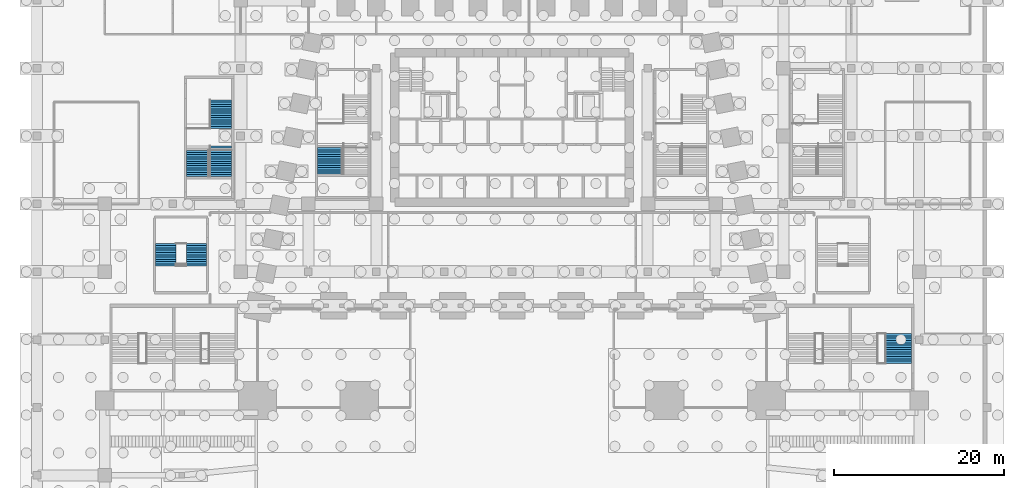
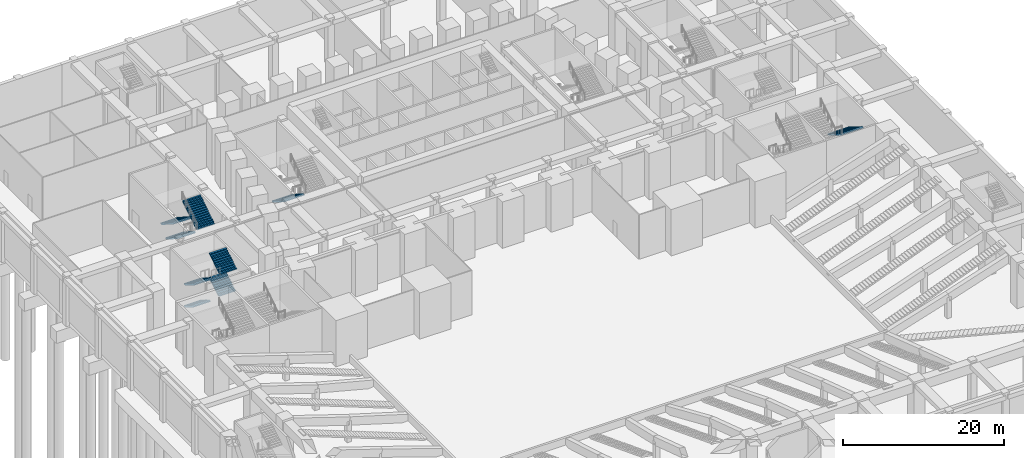
# One storey, part 18 of 30: 9 stair flights, 4 elements without a shape of their own.
"""IFC4 building model written with IfcOpenShell, lengths in metres."""

import ifcopenshell
import ifcopenshell.guid

model = None  # the IFC model being written
_history = None  # IfcOwnerHistory: only IFC2X3 demands one
_inside = {}  # id of a spatial element -> (the spatial element, [elements in it])
_under = {}  # id of a project, library or spatial element -> (it, [spatial elements below it])
_declared = {}  # id of a project -> (the project, [libraries it declares])
_typed = {}  # id of a type object -> (the type object, [elements of that type])
_made_of = {}  # id of a material, layer set ... -> (it, [elements and type objects made of it])


def new_model(schema):
    """Start an empty IFC model of exactly this schema.

    Asked for "IFC4X3", IfcOpenShell would pick the latest addendum, in which some entities
    have other attributes; the version numbers below select the first issue.
    IFC2X3 requires an IfcOwnerHistory on every rooted entity: one is made here for all.
    """
    global model, _history
    if schema == "IFC4X3":
        model = ifcopenshell.file(schema_version=(4, 3, 0, 0))
    else:
        model = ifcopenshell.file(schema=schema)
    _inside.clear()
    _under.clear()
    _declared.clear()
    _typed.clear()
    _made_of.clear()
    _history = None
    if model.schema == "IFC2X3":
        org = make("IfcOrganization", Name="unknown")
        user = make(
            "IfcPersonAndOrganization",
            ThePerson=make("IfcPerson", FamilyName="unknown"),
            TheOrganization=org,
        )
        app = make(
            "IfcApplication",
            ApplicationDeveloper=org,
            Version="unknown",
            ApplicationFullName="unknown",
            ApplicationIdentifier="unknown",
        )
        _history = make(
            "IfcOwnerHistory",
            OwningUser=user,
            OwningApplication=app,
            ChangeAction="ADDED",
            CreationDate=0,
        )
    return model


def make(cls, **values):
    """One entity of the class cls with the attributes given. An attribute that is None is left unset."""
    return model.create_entity(
        cls, **{name: value for name, value in values.items() if value is not None}
    )


def rooted(cls, **values):
    """An entity with a GlobalId (a new one), such as an element, a storey or a relation."""
    return make(cls, GlobalId=ifcopenshell.guid.new(), OwnerHistory=_history, **values)


def si_unit(unit_type, name, prefix=None):
    """IfcSIUnit, for example si_unit("LENGTHUNIT", "METRE", prefix="MILLI")."""
    return make("IfcSIUnit", UnitType=unit_type, Prefix=prefix, Name=name)


def assignment(units):
    """IfcUnitAssignment: the units of a project."""
    return None if units is None else make("IfcUnitAssignment", Units=units)


def point(xyz):
    """IfcCartesianPoint."""
    return None if xyz is None else make("IfcCartesianPoint", Coordinates=xyz)


def direction(xyz):
    """IfcDirection."""
    return None if xyz is None else make("IfcDirection", DirectionRatios=xyz)


def frame(location, z_axis=None, x_axis=None):
    """IfcAxis2Placement3D, a coordinate frame: its origin and axes. An axis left out is left unset."""
    return make(
        "IfcAxis2Placement3D",
        Location=point(location),
        Axis=direction(z_axis),
        RefDirection=direction(x_axis),
    )


def origin():
    """The frame at (0, 0, 0) with its axes left unset."""
    return frame((0.0, 0.0, 0.0))


def place(relative_to, where):
    """IfcLocalPlacement: puts the frame where relative to a parent placement (None: the world)."""
    return make(
        "IfcLocalPlacement", PlacementRelTo=relative_to, RelativePlacement=where
    )


def context(
    kind, dimensions, precision=None, world=None, true_north=None, identifier=None
):
    """IfcGeometricRepresentationContext, for example the 3D "Model" context."""
    return make(
        "IfcGeometricRepresentationContext",
        ContextIdentifier=identifier,
        ContextType=kind,
        CoordinateSpaceDimension=dimensions,
        Precision=precision,
        WorldCoordinateSystem=world,
        TrueNorth=true_north,
    )


def subcontext(parent, identifier, kind, view, scale=None):
    """IfcGeometricRepresentationSubContext, for example "Body" below "Model"."""
    return make(
        "IfcGeometricRepresentationSubContext",
        ContextIdentifier=identifier,
        ContextType=kind,
        ParentContext=parent,
        TargetScale=scale,
        TargetView=view,
    )


def project(units=None, contexts=None):
    """IfcProject with its units and contexts."""
    return rooted(
        "IfcProject",
        Name="project",
        RepresentationContexts=contexts,
        UnitsInContext=assignment(units),
    )


def spatial(cls, under=None, at=None, **own):
    """A site, building, storey or space (cls), placed at a placement, below another one or the project."""
    s = rooted(cls, ObjectPlacement=at, **own)
    if under is not None:
        _under.setdefault(under.id(), (under, []))[1].append(s)
    return s


def polyline(points):
    """IfcPolyline through the points."""
    return make("IfcPolyline", Points=[point(p) for p in points])


def outline(outer, holes=None, kind="AREA"):
    """IfcArbitraryClosedProfileDef: a profile drawn as a closed curve; with holes, ...WithVoids."""
    if holes is None:
        return make("IfcArbitraryClosedProfileDef", ProfileType=kind, OuterCurve=outer)
    return make(
        "IfcArbitraryProfileDefWithVoids",
        ProfileType=kind,
        OuterCurve=outer,
        InnerCurves=holes,
    )


def extrude(swept, where, along, depth):
    """IfcExtrudedAreaSolid: the profile swept, set in the frame where, extruded along a direction by depth."""
    return make(
        "IfcExtrudedAreaSolid",
        SweptArea=swept,
        Position=where,
        ExtrudedDirection=direction(along),
        Depth=depth,
    )


def shape(context_of_items, identifier, shape_type, items):
    """IfcShapeRepresentation: the items that make up one representation, for example the "Body"."""
    return make(
        "IfcShapeRepresentation",
        ContextOfItems=context_of_items,
        RepresentationIdentifier=identifier,
        RepresentationType=shape_type,
        Items=items,
    )


def material(Name=None, Category=None):
    """IfcMaterial."""
    return make("IfcMaterial", Name=Name, Category=Category)


def made_of(thing, what):
    """Note that an element or type object is made of a material, layer set ...; save() writes the relation."""
    if what is not None:
        _made_of.setdefault(what.id(), (what, []))[1].append(thing)
    return thing


def type_object(cls, material=None, **own):
    """A type object (cls), such as IfcWallType, which elements share."""
    return made_of(rooted(cls, **own), material)


def element(
    cls,
    number,
    at=None,
    inside=None,
    cuts=None,
    type_object=None,
    material=None,
    context=None,
    identifier="Body",
    shape_type=None,
    held_by="IfcProductDefinitionShape",
    body=None,
    shapes=None,
    **own,
):
    """One element of the class cls, such as IfcWall. Its Tag is "e" and its number.

    at: its placement. inside: the storey or other place that contains it. cuts: it is an
    opening in that element (IfcRelVoidsElement). A single representation is given by context,
    identifier, shape_type and body (its items); several are given by shapes. held_by: the class
    of the entity that holds the representations. save() writes the other relations.
    """
    e = rooted(cls, Tag="e%d" % number, ObjectPlacement=at, **own)
    if body is not None:
        shapes = [shape(context, identifier, shape_type, body)]
    if shapes is not None:
        e.Representation = make(held_by, Representations=shapes)
    if inside is not None:
        _inside.setdefault(inside.id(), (inside, []))[1].append(e)
    if cuts is not None:
        rooted(
            "IfcRelVoidsElement", RelatingBuildingElement=cuts, RelatedOpeningElement=e
        )
    if type_object is not None:
        _typed.setdefault(type_object.id(), (type_object, []))[1].append(e)
    return made_of(e, material)


def aggregate(whole, parts):
    """IfcRelAggregates: a whole, such as a stair, and the parts it consists of."""
    return rooted("IfcRelAggregates", RelatingObject=whole, RelatedObjects=parts)


def save(model, path):
    """Write the relations noted so far, then the file.

    IfcRelAggregates (storeys below a building ...), IfcRelContainedInSpatialStructure (elements
    in a storey), IfcRelDefinesByType, IfcRelAssociatesMaterial and IfcRelDeclares: one each for
    every whole, place, type object, material and project.
    """
    for whole, parts in _under.values():
        aggregate(whole, parts)
    for where, things in _inside.values():
        rooted(
            "IfcRelContainedInSpatialStructure",
            RelatedElements=things,
            RelatingStructure=where,
        )
    for kind, things in _typed.values():
        rooted("IfcRelDefinesByType", RelatedObjects=things, RelatingType=kind)
    for what, things in _made_of.values():
        rooted("IfcRelAssociatesMaterial", RelatedObjects=things, RelatingMaterial=what)
    for by, libraries in _declared.values():
        rooted("IfcRelDeclares", RelatingContext=by, RelatedDefinitions=libraries)
    model.write(path)


model = new_model("IFC4")

# Units and contexts
model_context = context("Model", 3, precision=1e-05, world=origin(), true_north=direction((0.0, 1.0)))
body_context = subcontext(model_context, "Body", "Model", "MODEL_VIEW")
ifc_project = project(units=[si_unit("LENGTHUNIT", "METRE"), si_unit("AREAUNIT", "SQUARE_METRE"), si_unit("VOLUMEUNIT", "CUBIC_METRE"), si_unit("PLANEANGLEUNIT", "RADIAN"), si_unit("MASSUNIT", "GRAM", prefix="KILO")], contexts=[model_context])

# Site, building, storey
site_placement = place(None, origin())
site = spatial("IfcSite", under=ifc_project, at=site_placement, CompositionType="ELEMENT")
building_placement = place(site_placement, origin())
building = spatial("IfcBuilding", under=site, at=building_placement, Name="Isbrekke Arena Tower", CompositionType="ELEMENT")
storey_placement = place(building_placement, frame((0.0, 0.0, -7.0)))
storey = spatial("IfcBuildingStorey", under=building, at=storey_placement, Name="B1", CompositionType="ELEMENT", Elevation=-7.0)

# Stair, stair flights
ifc_material_1 = material(Name="Concrete B45 (C45/55) precast", Category="concrete")
stair_type_1 = type_object("IfcStairType", Name="ST70 STAIR 2400 WIDE, 42 RISERS 167", PredefinedType="HALF_TURN_STAIR", material=ifc_material_1)
stair_1_placement = place(storey_placement, origin())
stair_1 = element("IfcStair", 1, at=stair_1_placement, inside=storey, type_object=stair_type_1, Name="V2 stair B1", PredefinedType="HALF_TURN_STAIR")
ifc_material_2 = material(Name="Concrete B45 (C45/55) precast", Category="concrete")
stair_flight_type_1 = type_object("IfcStairFlightType", Name="SF 2400 FLIGHT", PredefinedType="STRAIGHT", material=ifc_material_2)
stair_flight_1_placement = place(storey_placement, frame((-40.800048828125, 1.35009765625, 0.0), z_axis=(0.0, 0.0, 1.0), x_axis=(0.0, -1.0, 0.0)))
stair_flight_1 = element("IfcStairFlight", 2, at=stair_flight_1_placement, type_object=stair_flight_type_1, Name="V2 flight 1", NumberOfRisers=10, NumberOfTreads=9, PredefinedType="STRAIGHT", RiserHeight=0.166666667, TreadLength=0.27, context=body_context, shape_type="SweptSolid", body=[
    extrude(outline(polyline([(0.0, 0.0), (0.0, 0.166748046875), (0.27001953125, 0.166748046875), (0.27001953125, 0.333251953125), (0.5400390625, 0.333251953125), (0.5400390625, 0.5), (0.81005859375, 0.5), (0.81005859375, 0.666748046875), (1.080078125, 0.666748046875), (1.080078125, 0.833251953125), (1.35009765625, 0.833251953125), (1.35009765625, 1.0), (1.6201171875, 1.0), (1.6201171875, 1.166748046875), (1.889892578125, 1.166748046875), (1.889892578125, 1.333251953125), (2.159912109375, 1.333251953125), (2.159912109375, 1.5), (2.429931640625, 1.5), (2.429931640625, 1.666748046875), (2.429931640625, 1.32373046875), (0.285400390625, 0.0), (0.0, 0.0)])), frame((0.0, 1.199951171875, 0.0), z_axis=(0.0, -1.0, 0.0), x_axis=(1.0, 0.0, 0.0)), (0.0, 0.0, 1.0), 0.48095703125),
    extrude(outline(polyline([(0.0, 0.0), (0.0, 0.166748046875), (0.27001953125, 0.166748046875), (0.27001953125, 0.333251953125), (0.5400390625, 0.333251953125), (0.5400390625, 0.5), (0.81005859375, 0.5), (0.81005859375, 0.666748046875), (1.080078125, 0.666748046875), (1.080078125, 0.833251953125), (1.35009765625, 0.833251953125), (1.35009765625, 1.0), (1.6201171875, 1.0), (1.6201171875, 1.166748046875), (1.889892578125, 1.166748046875), (1.889892578125, 1.333251953125), (2.159912109375, 1.333251953125), (2.159912109375, 1.5), (2.429931640625, 1.5), (2.429931640625, 1.666748046875), (2.429931640625, 1.32373046875), (0.285400390625, 0.0), (0.0, 0.0)])), frame((0.0, 0.720947265625, 0.0), z_axis=(0.0, -1.0, 0.0), x_axis=(1.0, 0.0, 0.0)), (0.0, 0.0, 1.0), 0.48193359375),
    extrude(outline(polyline([(0.0, 0.0), (0.0, 0.166748046875), (0.27001953125, 0.166748046875), (0.27001953125, 0.333251953125), (0.5400390625, 0.333251953125), (0.5400390625, 0.5), (0.81005859375, 0.5), (0.81005859375, 0.666748046875), (1.080078125, 0.666748046875), (1.080078125, 0.833251953125), (1.35009765625, 0.833251953125), (1.35009765625, 1.0), (1.6201171875, 1.0), (1.6201171875, 1.166748046875), (1.889892578125, 1.166748046875), (1.889892578125, 1.333251953125), (2.159912109375, 1.333251953125), (2.159912109375, 1.5), (2.429931640625, 1.5), (2.429931640625, 1.666748046875), (2.429931640625, 1.32373046875), (0.285400390625, 0.0), (0.0, 0.0)])), frame((0.0, 0.240966796875, 0.0), z_axis=(0.0, -1.0, 0.0), x_axis=(1.0, 0.0, 0.0)), (0.0, 0.0, 1.0), 0.48193359375),
    extrude(outline(polyline([(0.0, 0.0), (0.0, 0.166748046875), (0.27001953125, 0.166748046875), (0.27001953125, 0.333251953125), (0.5400390625, 0.333251953125), (0.5400390625, 0.5), (0.81005859375, 0.5), (0.81005859375, 0.666748046875), (1.080078125, 0.666748046875), (1.080078125, 0.833251953125), (1.35009765625, 0.833251953125), (1.35009765625, 1.0), (1.6201171875, 1.0), (1.6201171875, 1.166748046875), (1.889892578125, 1.166748046875), (1.889892578125, 1.333251953125), (2.159912109375, 1.333251953125), (2.159912109375, 1.5), (2.429931640625, 1.5), (2.429931640625, 1.666748046875), (2.429931640625, 1.32373046875), (0.285400390625, 0.0), (0.0, 0.0)])), frame((0.0, -0.239013671875, 0.0), z_axis=(0.0, -1.0, 0.0), x_axis=(1.0, 0.0, 0.0)), (0.0, 0.0, 1.0), 0.48193359375),
    extrude(outline(polyline([(0.0, 0.0), (0.0, 0.166748046875), (0.27001953125, 0.166748046875), (0.27001953125, 0.333251953125), (0.5400390625, 0.333251953125), (0.5400390625, 0.5), (0.81005859375, 0.5), (0.81005859375, 0.666748046875), (1.080078125, 0.666748046875), (1.080078125, 0.833251953125), (1.35009765625, 0.833251953125), (1.35009765625, 1.0), (1.6201171875, 1.0), (1.6201171875, 1.166748046875), (1.889892578125, 1.166748046875), (1.889892578125, 1.333251953125), (2.159912109375, 1.333251953125), (2.159912109375, 1.5), (2.429931640625, 1.5), (2.429931640625, 1.666748046875), (2.429931640625, 1.32373046875), (0.285400390625, 0.0), (0.0, 0.0)])), frame((0.0, -0.718994140625, 0.0), z_axis=(0.0, -1.0, 0.0), x_axis=(1.0, 0.0, 0.0)), (0.0, 0.0, 1.0), 0.48095703125),
])
stair_flight_2_placement = place(storey_placement, frame((-37.199951171875, -1.080078125, 1.666748046875), z_axis=(0.0, 0.0, 1.0), x_axis=(0.0, 1.0, 0.0)))
stair_flight_2 = element("IfcStairFlight", 3, at=stair_flight_2_placement, type_object=stair_flight_type_1, Name="V2 flight 2", NumberOfRisers=10, NumberOfTreads=9, PredefinedType="STRAIGHT", RiserHeight=0.166666667, TreadLength=0.27, context=body_context, shape_type="SweptSolid", body=[
    extrude(outline(polyline([(0.0, 0.0), (0.0, 0.166748046875), (0.27001953125, 0.166748046875), (0.27001953125, 0.333251953125), (0.5400390625, 0.333251953125), (0.5400390625, 0.5), (0.81005859375, 0.5), (0.81005859375, 0.666748046875), (1.080078125, 0.666748046875), (1.080078125, 0.833251953125), (1.35009765625, 0.833251953125), (1.35009765625, 1.0), (1.6201171875, 1.0), (1.6201171875, 1.166748046875), (1.889892578125, 1.166748046875), (1.889892578125, 1.333251953125), (2.159912109375, 1.333251953125), (2.159912109375, 1.5), (2.429931640625, 1.5), (2.429931640625, 1.666748046875), (2.429931640625, 1.32373046875), (0.285400390625, 0.0), (0.0, 0.0)])), frame((0.0, 1.199951171875, 0.0), z_axis=(0.0, -1.0, 0.0), x_axis=(1.0, 0.0, 0.0)), (0.0, 0.0, 1.0), 0.48095703125),
    extrude(outline(polyline([(0.0, 0.0), (0.0, 0.166748046875), (0.27001953125, 0.166748046875), (0.27001953125, 0.333251953125), (0.5400390625, 0.333251953125), (0.5400390625, 0.5), (0.81005859375, 0.5), (0.81005859375, 0.666748046875), (1.080078125, 0.666748046875), (1.080078125, 0.833251953125), (1.35009765625, 0.833251953125), (1.35009765625, 1.0), (1.6201171875, 1.0), (1.6201171875, 1.166748046875), (1.889892578125, 1.166748046875), (1.889892578125, 1.333251953125), (2.159912109375, 1.333251953125), (2.159912109375, 1.5), (2.429931640625, 1.5), (2.429931640625, 1.666748046875), (2.429931640625, 1.32373046875), (0.285400390625, 0.0), (0.0, 0.0)])), frame((0.0, 0.720947265625, 0.0), z_axis=(0.0, -1.0, 0.0), x_axis=(1.0, 0.0, 0.0)), (0.0, 0.0, 1.0), 0.48193359375),
    extrude(outline(polyline([(0.0, 0.0), (0.0, 0.166748046875), (0.27001953125, 0.166748046875), (0.27001953125, 0.333251953125), (0.5400390625, 0.333251953125), (0.5400390625, 0.5), (0.81005859375, 0.5), (0.81005859375, 0.666748046875), (1.080078125, 0.666748046875), (1.080078125, 0.833251953125), (1.35009765625, 0.833251953125), (1.35009765625, 1.0), (1.6201171875, 1.0), (1.6201171875, 1.166748046875), (1.889892578125, 1.166748046875), (1.889892578125, 1.333251953125), (2.159912109375, 1.333251953125), (2.159912109375, 1.5), (2.429931640625, 1.5), (2.429931640625, 1.666748046875), (2.429931640625, 1.32373046875), (0.285400390625, 0.0), (0.0, 0.0)])), frame((0.0, 0.240966796875, 0.0), z_axis=(0.0, -1.0, 0.0), x_axis=(1.0, 0.0, 0.0)), (0.0, 0.0, 1.0), 0.48193359375),
    extrude(outline(polyline([(0.0, 0.0), (0.0, 0.166748046875), (0.27001953125, 0.166748046875), (0.27001953125, 0.333251953125), (0.5400390625, 0.333251953125), (0.5400390625, 0.5), (0.81005859375, 0.5), (0.81005859375, 0.666748046875), (1.080078125, 0.666748046875), (1.080078125, 0.833251953125), (1.35009765625, 0.833251953125), (1.35009765625, 1.0), (1.6201171875, 1.0), (1.6201171875, 1.166748046875), (1.889892578125, 1.166748046875), (1.889892578125, 1.333251953125), (2.159912109375, 1.333251953125), (2.159912109375, 1.5), (2.429931640625, 1.5), (2.429931640625, 1.666748046875), (2.429931640625, 1.32373046875), (0.285400390625, 0.0), (0.0, 0.0)])), frame((0.0, -0.239013671875, 0.0), z_axis=(0.0, -1.0, 0.0), x_axis=(1.0, 0.0, 0.0)), (0.0, 0.0, 1.0), 0.48193359375),
    extrude(outline(polyline([(0.0, 0.0), (0.0, 0.166748046875), (0.27001953125, 0.166748046875), (0.27001953125, 0.333251953125), (0.5400390625, 0.333251953125), (0.5400390625, 0.5), (0.81005859375, 0.5), (0.81005859375, 0.666748046875), (1.080078125, 0.666748046875), (1.080078125, 0.833251953125), (1.35009765625, 0.833251953125), (1.35009765625, 1.0), (1.6201171875, 1.0), (1.6201171875, 1.166748046875), (1.889892578125, 1.166748046875), (1.889892578125, 1.333251953125), (2.159912109375, 1.333251953125), (2.159912109375, 1.5), (2.429931640625, 1.5), (2.429931640625, 1.666748046875), (2.429931640625, 1.32373046875), (0.285400390625, 0.0), (0.0, 0.0)])), frame((0.0, -0.718994140625, 0.0), z_axis=(0.0, -1.0, 0.0), x_axis=(1.0, 0.0, 0.0)), (0.0, 0.0, 1.0), 0.48095703125),
])
stair_flight_3_placement = place(storey_placement, frame((-40.800048828125, 1.35009765625, 3.333251953125), z_axis=(0.0, 0.0, 1.0), x_axis=(0.0, -1.0, 0.0)))
stair_flight_3 = element("IfcStairFlight", 4, at=stair_flight_3_placement, type_object=stair_flight_type_1, Name="V2 flight 3", NumberOfRisers=11, NumberOfTreads=10, PredefinedType="STRAIGHT", RiserHeight=0.166666667, TreadLength=0.27, context=body_context, shape_type="SweptSolid", body=[
    extrude(outline(polyline([(0.0, 0.0), (0.0, 0.166748046875), (0.27001953125, 0.166748046875), (0.27001953125, 0.333251953125), (0.5400390625, 0.333251953125), (0.5400390625, 0.5), (0.81005859375, 0.5), (0.81005859375, 0.666748046875), (1.080078125, 0.666748046875), (1.080078125, 0.833251953125), (1.35009765625, 0.833251953125), (1.35009765625, 1.0), (1.6201171875, 1.0), (1.6201171875, 1.166748046875), (1.889892578125, 1.166748046875), (1.889892578125, 1.333251953125), (2.159912109375, 1.333251953125), (2.159912109375, 1.5), (2.429931640625, 1.5), (2.429931640625, 1.666748046875), (2.699951171875, 1.666748046875), (2.699951171875, 1.833251953125), (2.699951171875, 1.490478515625), (0.285400390625, 0.0), (0.0, 0.0)])), frame((0.0, 1.199951171875, 0.0), z_axis=(0.0, -1.0, 0.0), x_axis=(1.0, 0.0, 0.0)), (0.0, 0.0, 1.0), 0.801025390625),
    extrude(outline(polyline([(0.0, 0.0), (0.0, 0.166748046875), (0.27001953125, 0.166748046875), (0.27001953125, 0.333251953125), (0.5400390625, 0.333251953125), (0.5400390625, 0.5), (0.81005859375, 0.5), (0.81005859375, 0.666748046875), (1.080078125, 0.666748046875), (1.080078125, 0.833251953125), (1.35009765625, 0.833251953125), (1.35009765625, 1.0), (1.6201171875, 1.0), (1.6201171875, 1.166748046875), (1.889892578125, 1.166748046875), (1.889892578125, 1.333251953125), (2.159912109375, 1.333251953125), (2.159912109375, 1.5), (2.429931640625, 1.5), (2.429931640625, 1.666748046875), (2.699951171875, 1.666748046875), (2.699951171875, 1.833251953125), (2.699951171875, 1.490478515625), (0.285400390625, 0.0), (0.0, 0.0)])), frame((0.0, 0.40087890625, 0.0), z_axis=(0.0, -1.0, 0.0), x_axis=(1.0, 0.0, 0.0)), (0.0, 0.0, 1.0), 0.802001953125),
    extrude(outline(polyline([(0.0, 0.0), (0.0, 0.166748046875), (0.27001953125, 0.166748046875), (0.27001953125, 0.333251953125), (0.5400390625, 0.333251953125), (0.5400390625, 0.5), (0.81005859375, 0.5), (0.81005859375, 0.666748046875), (1.080078125, 0.666748046875), (1.080078125, 0.833251953125), (1.35009765625, 0.833251953125), (1.35009765625, 1.0), (1.6201171875, 1.0), (1.6201171875, 1.166748046875), (1.889892578125, 1.166748046875), (1.889892578125, 1.333251953125), (2.159912109375, 1.333251953125), (2.159912109375, 1.5), (2.429931640625, 1.5), (2.429931640625, 1.666748046875), (2.699951171875, 1.666748046875), (2.699951171875, 1.833251953125), (2.699951171875, 1.490478515625), (0.285400390625, 0.0), (0.0, 0.0)])), frame((0.0, -0.39892578125, 0.0), z_axis=(0.0, -1.0, 0.0), x_axis=(1.0, 0.0, 0.0)), (0.0, 0.0, 1.0), 0.801025390625),
])
stair_flight_4_placement = place(storey_placement, frame((-37.199951171875, -1.35009765625, 5.166748046875), z_axis=(0.0, 0.0, 1.0), x_axis=(0.0, 1.0, 0.0)))
stair_flight_4 = element("IfcStairFlight", 5, at=stair_flight_4_placement, type_object=stair_flight_type_1, Name="V2 flight 4", NumberOfRisers=11, NumberOfTreads=10, PredefinedType="STRAIGHT", RiserHeight=0.166666667, TreadLength=0.27, context=body_context, shape_type="SweptSolid", body=[
    extrude(outline(polyline([(0.0, 0.0), (0.0, 0.166748046875), (0.27001953125, 0.166748046875), (0.27001953125, 0.333251953125), (0.5400390625, 0.333251953125), (0.5400390625, 0.5), (0.81005859375, 0.5), (0.81005859375, 0.666748046875), (1.080078125, 0.666748046875), (1.080078125, 0.833251953125), (1.35009765625, 0.833251953125), (1.35009765625, 1.0), (1.6201171875, 1.0), (1.6201171875, 1.166748046875), (1.889892578125, 1.166748046875), (1.889892578125, 1.333251953125), (2.159912109375, 1.333251953125), (2.159912109375, 1.5), (2.429931640625, 1.5), (2.429931640625, 1.666748046875), (2.699951171875, 1.666748046875), (2.699951171875, 1.833251953125), (2.699951171875, 1.490478515625), (0.285400390625, 0.0), (0.0, 0.0)])), frame((0.0, 1.199951171875, 0.0), z_axis=(0.0, -1.0, 0.0), x_axis=(1.0, 0.0, 0.0)), (0.0, 0.0, 1.0), 0.801025390625),
    extrude(outline(polyline([(0.0, 0.0), (0.0, 0.166748046875), (0.27001953125, 0.166748046875), (0.27001953125, 0.333251953125), (0.5400390625, 0.333251953125), (0.5400390625, 0.5), (0.81005859375, 0.5), (0.81005859375, 0.666748046875), (1.080078125, 0.666748046875), (1.080078125, 0.833251953125), (1.35009765625, 0.833251953125), (1.35009765625, 1.0), (1.6201171875, 1.0), (1.6201171875, 1.166748046875), (1.889892578125, 1.166748046875), (1.889892578125, 1.333251953125), (2.159912109375, 1.333251953125), (2.159912109375, 1.5), (2.429931640625, 1.5), (2.429931640625, 1.666748046875), (2.699951171875, 1.666748046875), (2.699951171875, 1.833251953125), (2.699951171875, 1.490478515625), (0.285400390625, 0.0), (0.0, 0.0)])), frame((0.0, 0.40087890625, 0.0), z_axis=(0.0, -1.0, 0.0), x_axis=(1.0, 0.0, 0.0)), (0.0, 0.0, 1.0), 0.802001953125),
    extrude(outline(polyline([(0.0, 0.0), (0.0, 0.166748046875), (0.27001953125, 0.166748046875), (0.27001953125, 0.333251953125), (0.5400390625, 0.333251953125), (0.5400390625, 0.5), (0.81005859375, 0.5), (0.81005859375, 0.666748046875), (1.080078125, 0.666748046875), (1.080078125, 0.833251953125), (1.35009765625, 0.833251953125), (1.35009765625, 1.0), (1.6201171875, 1.0), (1.6201171875, 1.166748046875), (1.889892578125, 1.166748046875), (1.889892578125, 1.333251953125), (2.159912109375, 1.333251953125), (2.159912109375, 1.5), (2.429931640625, 1.5), (2.429931640625, 1.666748046875), (2.699951171875, 1.666748046875), (2.699951171875, 1.833251953125), (2.699951171875, 1.490478515625), (0.285400390625, 0.0), (0.0, 0.0)])), frame((0.0, -0.39892578125, 0.0), z_axis=(0.0, -1.0, 0.0), x_axis=(1.0, 0.0, 0.0)), (0.0, 0.0, 1.0), 0.801025390625),
])
aggregate(stair_1, [stair_flight_1, stair_flight_2, stair_flight_3, stair_flight_4])

ifc_material_3 = material(Name="Concrete B45 (C45/55) precast", Category="concrete")
stair_type_2 = type_object("IfcStairType", Name="SX70 EXIT STAIR 2550 WIDE, 42 RISERS 167", PredefinedType="HALF_TURN_STAIR", material=ifc_material_3)
stair_2_placement = place(storey_placement, origin())
stair_2 = element("IfcStair", 6, at=stair_2_placement, inside=storey, type_object=stair_type_2, Name="X8 exit stair B1", PredefinedType="HALF_TURN_STAIR")
ifc_material_4 = material(Name="Concrete B45 (C45/55) precast", Category="concrete")
stair_flight_type_2 = type_object("IfcStairFlightType", Name="SF 2550 FLIGHT 260", PredefinedType="STRAIGHT", material=ifc_material_4)
stair_flight_5_placement = place(storey_placement, frame((-34.324951171875, 18.25, 0.0), z_axis=(0.0, 0.0, 1.0), x_axis=(0.0, -1.0, 0.0)))
stair_flight_5 = element("IfcStairFlight", 7, at=stair_flight_5_placement, type_object=stair_flight_type_2, Name="X8 flight 1", NumberOfRisers=14, NumberOfTreads=13, PredefinedType="STRAIGHT", RiserHeight=0.166666667, TreadLength=0.26, context=body_context, shape_type="SweptSolid", body=[
    extrude(outline(polyline([(0.0, 0.0), (0.0, 0.166748046875), (0.260009765625, 0.166748046875), (0.260009765625, 0.333251953125), (0.52001953125, 0.333251953125), (0.52001953125, 0.5), (0.780029296875, 0.5), (0.780029296875, 0.666748046875), (1.0400390625, 0.666748046875), (1.0400390625, 0.833251953125), (1.300048828125, 0.833251953125), (1.300048828125, 1.0), (1.56005859375, 1.0), (1.56005859375, 1.166748046875), (1.820068359375, 1.166748046875), (1.820068359375, 1.333251953125), (2.080078125, 1.333251953125), (2.080078125, 1.5), (2.340087890625, 1.5), (2.340087890625, 1.666748046875), (2.60009765625, 1.666748046875), (2.60009765625, 1.833251953125), (2.860107421875, 1.833251953125), (2.860107421875, 2.0), (3.1201171875, 2.0), (3.1201171875, 2.166748046875), (3.3798828125, 2.166748046875), (3.3798828125, 2.333251953125), (3.3798828125, 1.988525390625), (0.27783203125, 0.0), (0.0, 0.0)])), frame((0.0, 1.27490234375, 0.0), z_axis=(0.0, -1.0, 0.0), x_axis=(1.0, 0.0, 0.0)), (0.0, 0.0, 1.0), 1.27587890625),
    extrude(outline(polyline([(0.0, 0.0), (0.0, 0.166748046875), (0.260009765625, 0.166748046875), (0.260009765625, 0.333251953125), (0.52001953125, 0.333251953125), (0.52001953125, 0.5), (0.780029296875, 0.5), (0.780029296875, 0.666748046875), (1.0400390625, 0.666748046875), (1.0400390625, 0.833251953125), (1.300048828125, 0.833251953125), (1.300048828125, 1.0), (1.56005859375, 1.0), (1.56005859375, 1.166748046875), (1.820068359375, 1.166748046875), (1.820068359375, 1.333251953125), (2.080078125, 1.333251953125), (2.080078125, 1.5), (2.340087890625, 1.5), (2.340087890625, 1.666748046875), (2.60009765625, 1.666748046875), (2.60009765625, 1.833251953125), (2.860107421875, 1.833251953125), (2.860107421875, 2.0), (3.1201171875, 2.0), (3.1201171875, 2.166748046875), (3.3798828125, 2.166748046875), (3.3798828125, 2.333251953125), (3.3798828125, 1.988525390625), (0.27783203125, 0.0), (0.0, 0.0)])), frame((0.0, 0.0009765625, 0.0), z_axis=(0.0, -1.0, 0.0), x_axis=(1.0, 0.0, 0.0)), (0.0, 0.0, 1.0), 1.27587890625),
])
stair_flight_6_placement = place(storey_placement, frame((-37.074951171875, 12.320068359375, 2.333251953125), z_axis=(0.0, 0.0, 1.0), x_axis=(0.0, -1.0, 0.0)))
stair_flight_6 = element("IfcStairFlight", 8, at=stair_flight_6_placement, type_object=stair_flight_type_2, Name="X8 flight 2", NumberOfRisers=13, NumberOfTreads=12, PredefinedType="STRAIGHT", RiserHeight=0.166666667, TreadLength=0.26, context=body_context, shape_type="SweptSolid", body=[
    extrude(outline(polyline([(0.0, 0.0), (0.0, 0.166748046875), (0.260009765625, 0.166748046875), (0.260009765625, 0.333251953125), (0.52001953125, 0.333251953125), (0.52001953125, 0.5), (0.780029296875, 0.5), (0.780029296875, 0.666748046875), (1.0400390625, 0.666748046875), (1.0400390625, 0.833251953125), (1.300048828125, 0.833251953125), (1.300048828125, 1.0), (1.56005859375, 1.0), (1.56005859375, 1.166748046875), (1.820068359375, 1.166748046875), (1.820068359375, 1.333251953125), (2.080078125, 1.333251953125), (2.080078125, 1.5), (2.340087890625, 1.5), (2.340087890625, 1.666748046875), (2.60009765625, 1.666748046875), (2.60009765625, 1.833251953125), (2.860107421875, 1.833251953125), (2.860107421875, 2.0), (3.1201171875, 2.0), (3.1201171875, 2.166748046875), (3.1201171875, 1.822021484375), (0.27783203125, 0.0), (0.0, 0.0)])), frame((0.0, 1.27490234375, 0.0), z_axis=(0.0, -1.0, 0.0), x_axis=(1.0, 0.0, 0.0)), (0.0, 0.0, 1.0), 1.27587890625),
    extrude(outline(polyline([(0.0, 0.0), (0.0, 0.166748046875), (0.260009765625, 0.166748046875), (0.260009765625, 0.333251953125), (0.52001953125, 0.333251953125), (0.52001953125, 0.5), (0.780029296875, 0.5), (0.780029296875, 0.666748046875), (1.0400390625, 0.666748046875), (1.0400390625, 0.833251953125), (1.300048828125, 0.833251953125), (1.300048828125, 1.0), (1.56005859375, 1.0), (1.56005859375, 1.166748046875), (1.820068359375, 1.166748046875), (1.820068359375, 1.333251953125), (2.080078125, 1.333251953125), (2.080078125, 1.5), (2.340087890625, 1.5), (2.340087890625, 1.666748046875), (2.60009765625, 1.666748046875), (2.60009765625, 1.833251953125), (2.860107421875, 1.833251953125), (2.860107421875, 2.0), (3.1201171875, 2.0), (3.1201171875, 2.166748046875), (3.1201171875, 1.822021484375), (0.27783203125, 0.0), (0.0, 0.0)])), frame((0.0, 0.0009765625, 0.0), z_axis=(0.0, -1.0, 0.0), x_axis=(1.0, 0.0, 0.0)), (0.0, 0.0, 1.0), 1.27587890625),
])
stair_flight_7_placement = place(storey_placement, frame((-34.324951171875, 9.199951171875, 4.5), z_axis=(0.0, 0.0, 1.0), x_axis=(0.0, 1.0, 0.0)))
stair_flight_7 = element("IfcStairFlight", 9, at=stair_flight_7_placement, type_object=stair_flight_type_2, Name="X8 flight 3", NumberOfRisers=15, NumberOfTreads=14, PredefinedType="STRAIGHT", RiserHeight=0.166666667, TreadLength=0.26, context=body_context, shape_type="SweptSolid", body=[
    extrude(outline(polyline([(0.0, 0.0), (0.0, 0.166748046875), (0.260009765625, 0.166748046875), (0.260009765625, 0.333251953125), (0.52001953125, 0.333251953125), (0.52001953125, 0.5), (0.780029296875, 0.5), (0.780029296875, 0.666748046875), (1.0400390625, 0.666748046875), (1.0400390625, 0.833251953125), (1.300048828125, 0.833251953125), (1.300048828125, 1.0), (1.56005859375, 1.0), (1.56005859375, 1.166748046875), (1.820068359375, 1.166748046875), (1.820068359375, 1.333251953125), (2.080078125, 1.333251953125), (2.080078125, 1.5), (2.340087890625, 1.5), (2.340087890625, 1.666748046875), (2.60009765625, 1.666748046875), (2.60009765625, 1.833251953125), (2.860107421875, 1.833251953125), (2.860107421875, 2.0), (3.1201171875, 2.0), (3.1201171875, 2.166748046875), (3.3798828125, 2.166748046875), (3.3798828125, 2.333251953125), (3.639892578125, 2.333251953125), (3.639892578125, 2.5), (3.639892578125, 2.1552734375), (0.27783203125, 0.0), (0.0, 0.0)])), frame((0.0, 1.27490234375, 0.0), z_axis=(0.0, -1.0, 0.0), x_axis=(1.0, 0.0, 0.0)), (0.0, 0.0, 1.0), 1.27587890625),
    extrude(outline(polyline([(0.0, 0.0), (0.0, 0.166748046875), (0.260009765625, 0.166748046875), (0.260009765625, 0.333251953125), (0.52001953125, 0.333251953125), (0.52001953125, 0.5), (0.780029296875, 0.5), (0.780029296875, 0.666748046875), (1.0400390625, 0.666748046875), (1.0400390625, 0.833251953125), (1.300048828125, 0.833251953125), (1.300048828125, 1.0), (1.56005859375, 1.0), (1.56005859375, 1.166748046875), (1.820068359375, 1.166748046875), (1.820068359375, 1.333251953125), (2.080078125, 1.333251953125), (2.080078125, 1.5), (2.340087890625, 1.5), (2.340087890625, 1.666748046875), (2.60009765625, 1.666748046875), (2.60009765625, 1.833251953125), (2.860107421875, 1.833251953125), (2.860107421875, 2.0), (3.1201171875, 2.0), (3.1201171875, 2.166748046875), (3.3798828125, 2.166748046875), (3.3798828125, 2.333251953125), (3.639892578125, 2.333251953125), (3.639892578125, 2.5), (3.639892578125, 2.1552734375), (0.27783203125, 0.0), (0.0, 0.0)])), frame((0.0, 0.0009765625, 0.0), z_axis=(0.0, -1.0, 0.0), x_axis=(1.0, 0.0, 0.0)), (0.0, 0.0, 1.0), 1.27587890625),
])
aggregate(stair_2, [stair_flight_5, stair_flight_6, stair_flight_7])

# Stair, stair flight
ifc_material_5 = material(Name="Concrete B45 (C45/55) cast in situ", Category="concrete")
stair_type_3 = type_object("IfcStairType", Name="SX70 EXIT STAIR 2850 WIDE, 42 RISERS 167", PredefinedType="HALF_TURN_STAIR", material=ifc_material_5)
stair_3_placement = place(storey_placement, origin())
stair_3 = element("IfcStair", 10, at=stair_3_placement, inside=storey, type_object=stair_type_3, Name="X6 exit stair B1", PredefinedType="HALF_TURN_STAIR")
ifc_material_6 = material(Name="Concrete B45 (C45/55) cast in situ", Category="concrete")
stair_flight_type_3 = type_object("IfcStairFlightType", Name="SF 2850 FLIGHT 260", PredefinedType="STRAIGHT", material=ifc_material_6)
stair_flight_8_placement = place(storey_placement, frame((-21.47509765625, 12.6201171875, 2.333251953125), z_axis=(0.0, 0.0, 1.0), x_axis=(0.0, -1.0, 0.0)))
stair_flight_8 = element("IfcStairFlight", 11, at=stair_flight_8_placement, type_object=stair_flight_type_3, Name="X6 flight 2", NumberOfRisers=13, NumberOfTreads=12, PredefinedType="STRAIGHT", RiserHeight=0.166666667, TreadLength=0.26, context=body_context, shape_type="SweptSolid", body=[
    extrude(outline(polyline([(0.0, 0.0), (0.0, 0.166748046875), (0.260009765625, 0.166748046875), (0.260009765625, 0.333251953125), (0.52001953125, 0.333251953125), (0.52001953125, 0.5), (0.780029296875, 0.5), (0.780029296875, 0.666748046875), (1.0400390625, 0.666748046875), (1.0400390625, 0.833251953125), (1.300048828125, 0.833251953125), (1.300048828125, 1.0), (1.56005859375, 1.0), (1.56005859375, 1.166748046875), (1.820068359375, 1.166748046875), (1.820068359375, 1.333251953125), (2.080078125, 1.333251953125), (2.080078125, 1.5), (2.340087890625, 1.5), (2.340087890625, 1.666748046875), (2.60009765625, 1.666748046875), (2.60009765625, 1.833251953125), (2.860107421875, 1.833251953125), (2.860107421875, 2.0), (3.1201171875, 2.0), (3.1201171875, 2.166748046875), (3.1201171875, 1.822021484375), (0.27783203125, 0.0), (0.0, 0.0)])), frame((0.0, 1.425048828125, 0.0), z_axis=(0.0, -1.0, 0.0), x_axis=(1.0, 0.0, 0.0)), (0.0, 0.0, 1.0), 0.950927734375),
    extrude(outline(polyline([(0.0, 0.0), (0.0, 0.166748046875), (0.260009765625, 0.166748046875), (0.260009765625, 0.333251953125), (0.52001953125, 0.333251953125), (0.52001953125, 0.5), (0.780029296875, 0.5), (0.780029296875, 0.666748046875), (1.0400390625, 0.666748046875), (1.0400390625, 0.833251953125), (1.300048828125, 0.833251953125), (1.300048828125, 1.0), (1.56005859375, 1.0), (1.56005859375, 1.166748046875), (1.820068359375, 1.166748046875), (1.820068359375, 1.333251953125), (2.080078125, 1.333251953125), (2.080078125, 1.5), (2.340087890625, 1.5), (2.340087890625, 1.666748046875), (2.60009765625, 1.666748046875), (2.60009765625, 1.833251953125), (2.860107421875, 1.833251953125), (2.860107421875, 2.0), (3.1201171875, 2.0), (3.1201171875, 2.166748046875), (3.1201171875, 1.822021484375), (0.27783203125, 0.0), (0.0, 0.0)])), frame((0.0, 0.47607421875, 0.0), z_axis=(0.0, -1.0, 0.0), x_axis=(1.0, 0.0, 0.0)), (0.0, 0.0, 1.0), 0.951904296875),
    extrude(outline(polyline([(0.0, 0.0), (0.0, 0.166748046875), (0.260009765625, 0.166748046875), (0.260009765625, 0.333251953125), (0.52001953125, 0.333251953125), (0.52001953125, 0.5), (0.780029296875, 0.5), (0.780029296875, 0.666748046875), (1.0400390625, 0.666748046875), (1.0400390625, 0.833251953125), (1.300048828125, 0.833251953125), (1.300048828125, 1.0), (1.56005859375, 1.0), (1.56005859375, 1.166748046875), (1.820068359375, 1.166748046875), (1.820068359375, 1.333251953125), (2.080078125, 1.333251953125), (2.080078125, 1.5), (2.340087890625, 1.5), (2.340087890625, 1.666748046875), (2.60009765625, 1.666748046875), (2.60009765625, 1.833251953125), (2.860107421875, 1.833251953125), (2.860107421875, 2.0), (3.1201171875, 2.0), (3.1201171875, 2.166748046875), (3.1201171875, 1.822021484375), (0.27783203125, 0.0), (0.0, 0.0)])), frame((0.0, -0.47412109375, 0.0), z_axis=(0.0, -1.0, 0.0), x_axis=(1.0, 0.0, 0.0)), (0.0, 0.0, 1.0), 0.950927734375),
])
aggregate(stair_3, [stair_flight_8])

ifc_material_7 = material(Name="Concrete B45 (C45/55) cast in situ", Category="concrete")
stair_type_4 = type_object("IfcStairType", Name="ST70 STAIR 3090 WIDE, 42 RISERS 167", PredefinedType="HALF_TURN_STAIR", material=ifc_material_7)
stair_4_placement = place(storey_placement, origin())
stair_4 = element("IfcStair", 12, at=stair_4_placement, inside=storey, type_object=stair_type_4, Name="X2 exit stair B1", PredefinedType="HALF_TURN_STAIR")
ifc_material_8 = material(Name="Concrete B45 (C45/55) cast in situ", Category="concrete")
stair_flight_type_4 = type_object("IfcStairFlightType", Name="SF 3090 FLIGHT", PredefinedType="STRAIGHT", material=ifc_material_8)
stair_flight_9_placement = place(storey_placement, frame((45.580078125, -9.294921875, 2.333251953125), z_axis=(0.0, 0.0, 1.0), x_axis=(0.0, -1.0, 0.0)))
stair_flight_9 = element("IfcStairFlight", 13, at=stair_flight_9_placement, type_object=stair_flight_type_4, Name="X2 flight 2", NumberOfRisers=14, NumberOfTreads=13, PredefinedType="STRAIGHT", RiserHeight=0.166666667, TreadLength=0.27, context=body_context, shape_type="SweptSolid", body=[
    extrude(outline(polyline([(0.0, 0.0), (0.0, 0.166748046875), (0.27001953125, 0.166748046875), (0.27001953125, 0.333251953125), (0.5400390625, 0.333251953125), (0.5400390625, 0.5), (0.81005859375, 0.5), (0.81005859375, 0.666748046875), (1.080078125, 0.666748046875), (1.080078125, 0.833251953125), (1.35009765625, 0.833251953125), (1.35009765625, 1.0), (1.6201171875, 1.0), (1.6201171875, 1.166748046875), (1.889892578125, 1.166748046875), (1.889892578125, 1.333251953125), (2.159912109375, 1.333251953125), (2.159912109375, 1.5), (2.429931640625, 1.5), (2.429931640625, 1.666748046875), (2.699951171875, 1.666748046875), (2.699951171875, 1.833251953125), (2.969970703125, 1.833251953125), (2.969970703125, 2.0), (3.239990234375, 2.0), (3.239990234375, 2.166748046875), (3.510009765625, 2.166748046875), (3.510009765625, 2.333251953125), (3.510009765625, 1.990478515625), (0.285400390625, 0.0), (0.0, 0.0)])), frame((0.0, 1.544921875, 0.0), z_axis=(0.0, -1.0, 0.0), x_axis=(1.0, 0.0, 0.0)), (0.0, 0.0, 1.0), 1.031005859375),
    extrude(outline(polyline([(0.0, 0.0), (0.0, 0.166748046875), (0.27001953125, 0.166748046875), (0.27001953125, 0.333251953125), (0.5400390625, 0.333251953125), (0.5400390625, 0.5), (0.81005859375, 0.5), (0.81005859375, 0.666748046875), (1.080078125, 0.666748046875), (1.080078125, 0.833251953125), (1.35009765625, 0.833251953125), (1.35009765625, 1.0), (1.6201171875, 1.0), (1.6201171875, 1.166748046875), (1.889892578125, 1.166748046875), (1.889892578125, 1.333251953125), (2.159912109375, 1.333251953125), (2.159912109375, 1.5), (2.429931640625, 1.5), (2.429931640625, 1.666748046875), (2.699951171875, 1.666748046875), (2.699951171875, 1.833251953125), (2.969970703125, 1.833251953125), (2.969970703125, 2.0), (3.239990234375, 2.0), (3.239990234375, 2.166748046875), (3.510009765625, 2.166748046875), (3.510009765625, 2.333251953125), (3.510009765625, 1.990478515625), (0.285400390625, 0.0), (0.0, 0.0)])), frame((0.0, 0.51611328125, 0.0), z_axis=(0.0, -1.0, 0.0), x_axis=(1.0, 0.0, 0.0)), (0.0, 0.0, 1.0), 1.031982421875),
    extrude(outline(polyline([(0.0, 0.0), (0.0, 0.166748046875), (0.27001953125, 0.166748046875), (0.27001953125, 0.333251953125), (0.5400390625, 0.333251953125), (0.5400390625, 0.5), (0.81005859375, 0.5), (0.81005859375, 0.666748046875), (1.080078125, 0.666748046875), (1.080078125, 0.833251953125), (1.35009765625, 0.833251953125), (1.35009765625, 1.0), (1.6201171875, 1.0), (1.6201171875, 1.166748046875), (1.889892578125, 1.166748046875), (1.889892578125, 1.333251953125), (2.159912109375, 1.333251953125), (2.159912109375, 1.5), (2.429931640625, 1.5), (2.429931640625, 1.666748046875), (2.699951171875, 1.666748046875), (2.699951171875, 1.833251953125), (2.969970703125, 1.833251953125), (2.969970703125, 2.0), (3.239990234375, 2.0), (3.239990234375, 2.166748046875), (3.510009765625, 2.166748046875), (3.510009765625, 2.333251953125), (3.510009765625, 1.990478515625), (0.285400390625, 0.0), (0.0, 0.0)])), frame((0.0, -0.51416015625, 0.0), z_axis=(0.0, -1.0, 0.0), x_axis=(1.0, 0.0, 0.0)), (0.0, 0.0, 1.0), 1.031005859375),
])
aggregate(stair_4, [stair_flight_9])

save(model, "model.ifc")
